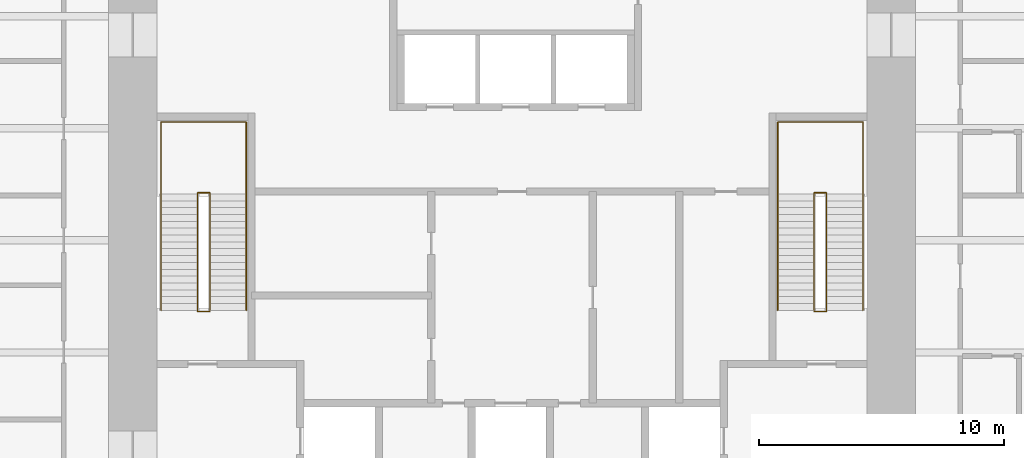
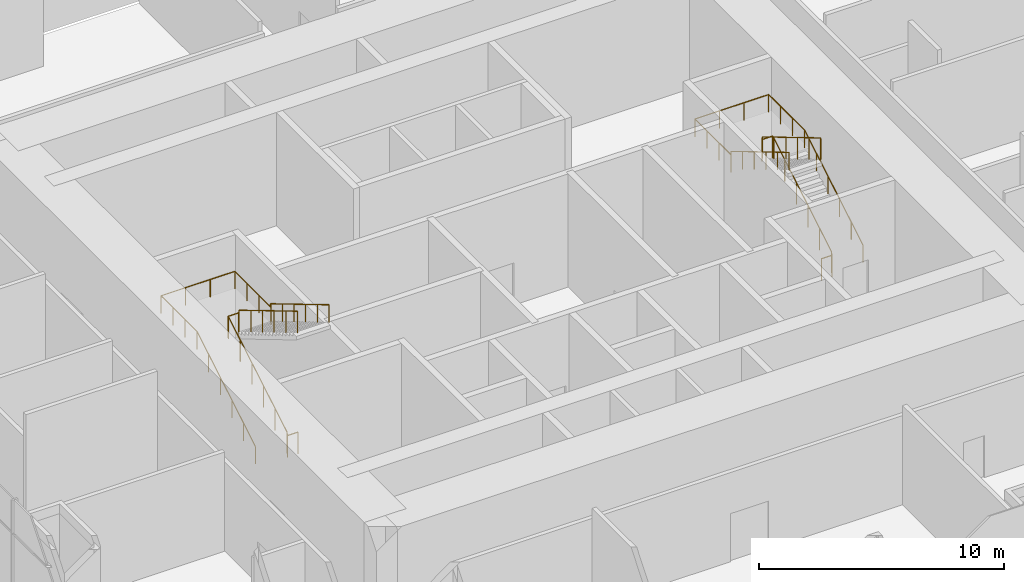
# One storey, part 12 of 12: 4 railings.
"""IFC4 building model written with IfcOpenShell, lengths in metres."""

from ifc_helpers import new_model, si_unit, direction, frame, origin, origin_2d, place, context, subcontext, project, spatial, circle, extrude, material, type_object, element, save


model = new_model("IFC4")

# Units and contexts
model_context = context("Model", 3, precision=1e-05, world=origin(), true_north=direction((0.0, 1.0)))
body_context = subcontext(model_context, "Body", "Model", "MODEL_VIEW")
ifc_project = project(units=[si_unit("LENGTHUNIT", "METRE"), si_unit("AREAUNIT", "SQUARE_METRE"), si_unit("VOLUMEUNIT", "CUBIC_METRE"), si_unit("PLANEANGLEUNIT", "RADIAN"), si_unit("MASSUNIT", "GRAM", prefix="KILO")], contexts=[model_context])

# Site, building, storey
site_placement = place(None, origin())
site = spatial("IfcSite", under=ifc_project, at=site_placement, CompositionType="ELEMENT")
building_placement = place(site_placement, origin())
building = spatial("IfcBuilding", under=site, at=building_placement, Name="Khuree Lantern Residences", CompositionType="ELEMENT")
storey_placement = place(building_placement, frame((0.0, 0.0, 186.0)))
storey = spatial("IfcBuildingStorey", under=building, at=storey_placement, Name="L47", CompositionType="ELEMENT", Elevation=186.0)

# Railings
ifc_material = material(Name="Steel S355", Category="steel")
railing_type_1 = type_object("IfcRailingType", Name="STAIR GUARD G1 1100", PredefinedType="GUARDRAIL", material=ifc_material)
railing_1_placement = place(storey_placement, frame((-12.35009765625, -2.909912109375, 0.0)))
element("IfcRailing", 1, at=railing_1_placement, inside=storey, type_object=railing_type_1, Name="Stair ST1 guard", PredefinedType="GUARDRAIL", context=body_context, shape_type="SweptSolid", body=[
    extrude(circle(Radius=0.02392578125, at=origin_2d()), frame((0.0, 0.0, 1.076171875), z_axis=(-1.0, 0.0, 0.0), x_axis=(0.0, -1.0, 0.0)), (0.0, 0.0, 1.0), 0.5),
    extrude(circle(Radius=0.02392578125, at=origin_2d()), frame((-0.5, 0.0, 1.076171875), z_axis=(0.0, 0.286189326841, 0.958173089375), x_axis=(-1.0, 0.0, 0.0)), (0.0, 0.0, 1.0), 0.174072265625),
    extrude(circle(Radius=0.02392578125, at=origin_2d()), frame((-0.5, 0.0498046875, 1.24267578125), z_axis=(0.0, 0.859299802514, 0.511472237174), x_axis=(-1.0, 0.0, 0.0)), (0.0, 0.0, 1.0), 5.539306640625),
    extrude(circle(Radius=0.02392578125, at=origin_2d()), frame((-0.5, 4.809814453125, 4.076171875), z_axis=(0.0, 1.0, 0.0), x_axis=(-1.0, 0.0, 0.0)), (0.0, 0.0, 1.0), 0.050048828125),
    extrude(circle(Radius=0.02392578125, at=origin_2d()), frame((-0.5, 4.85986328125, 4.076171875), z_axis=(1.0, 0.0, 0.0), x_axis=(0.0, 1.0, 0.0)), (0.0, 0.0, 1.0), 0.5),
    extrude(circle(Radius=0.02392578125, at=origin_2d()), frame((0.0, 4.85986328125, 4.076171875), z_axis=(0.0, -0.287476536604, 0.957787680492), x_axis=(1.0, 0.0, 0.0)), (0.0, 0.0, 1.0), 0.174072265625),
    extrude(circle(Radius=0.02392578125, at=origin_2d()), frame((0.0, 4.809814453125, 4.24267578125), z_axis=(0.0, -0.859299802514, 0.511472237174), x_axis=(1.0, 0.0, 0.0)), (0.0, 0.0, 1.0), 5.539306640625),
    extrude(circle(Radius=0.02099609375, at=origin_2d()), origin(), (0.0, 0.0, 1.0), 1.052001953125),
    extrude(circle(Radius=0.02099609375, at=origin_2d()), frame((-0.5, 0.0, 0.0)), (0.0, 0.0, 1.0), 1.052001953125),
    extrude(circle(Radius=0.02099609375, at=origin_2d()), frame((-0.5, 0.0498046875, 0.166748046875)), (0.0, 0.0, 1.0), 1.052001953125),
    extrude(circle(Radius=0.02099609375, at=origin_2d()), frame((-0.5, 1.001708984375, 0.7333984375)), (0.0, 0.0, 1.0), 1.052001953125),
    extrude(circle(Radius=0.02099609375, at=origin_2d()), frame((-0.5, 1.953857421875, 1.300048828125)), (0.0, 0.0, 1.0), 1.052001953125),
    extrude(circle(Radius=0.02099609375, at=origin_2d()), frame((-0.5, 2.90576171875, 1.86669921875)), (0.0, 0.0, 1.0), 1.052001953125),
    extrude(circle(Radius=0.02099609375, at=origin_2d()), frame((-0.5, 3.85791015625, 2.433349609375)), (0.0, 0.0, 1.0), 1.052001953125),
    extrude(circle(Radius=0.02099609375, at=origin_2d()), frame((-0.5, 4.809814453125, 3.0)), (0.0, 0.0, 1.0), 1.052001953125),
    extrude(circle(Radius=0.02099609375, at=origin_2d()), frame((-0.5, 4.85986328125, 3.0)), (0.0, 0.0, 1.0), 1.052001953125),
    extrude(circle(Radius=0.02099609375, at=origin_2d()), frame((0.0, 4.85986328125, 3.0)), (0.0, 0.0, 1.0), 1.052001953125),
    extrude(circle(Radius=0.02099609375, at=origin_2d()), frame((0.0, 4.809814453125, 3.166748046875)), (0.0, 0.0, 1.0), 1.052001953125),
    extrude(circle(Radius=0.02099609375, at=origin_2d()), frame((0.0, 3.85791015625, 3.7333984375)), (0.0, 0.0, 1.0), 1.052001953125),
    extrude(circle(Radius=0.02099609375, at=origin_2d()), frame((0.0, 2.90576171875, 4.300048828125)), (0.0, 0.0, 1.0), 1.052001953125),
    extrude(circle(Radius=0.02099609375, at=origin_2d()), frame((0.0, 1.953857421875, 4.86669921875)), (0.0, 0.0, 1.0), 1.052001953125),
    extrude(circle(Radius=0.02099609375, at=origin_2d()), frame((0.0, 1.001708984375, 5.433349609375)), (0.0, 0.0, 1.0), 1.052001953125),
    extrude(circle(Radius=0.02099609375, at=origin_2d()), frame((0.0, 0.0498046875, 6.0)), (0.0, 0.0, 1.0), 1.052001953125),
])
railing_2_placement = place(storey_placement, frame((12.35009765625, -2.909912109375, 0.0)))
element("IfcRailing", 2, at=railing_2_placement, inside=storey, type_object=railing_type_1, Name="Stair ST2 guard", PredefinedType="GUARDRAIL", context=body_context, shape_type="SweptSolid", body=[
    extrude(circle(Radius=0.02392578125, at=origin_2d()), frame((0.0, 0.0, 1.076171875), z_axis=(1.0, 0.0, 0.0), x_axis=(0.0, 1.0, 0.0)), (0.0, 0.0, 1.0), 0.5),
    extrude(circle(Radius=0.02392578125, at=origin_2d()), frame((0.5, 0.0, 1.076171875), z_axis=(0.0, 0.286189326841, 0.958173089375), x_axis=(-1.0, 0.0, 0.0)), (0.0, 0.0, 1.0), 0.174072265625),
    extrude(circle(Radius=0.02392578125, at=origin_2d()), frame((0.5, 0.0498046875, 1.24267578125), z_axis=(0.0, 0.859299802514, 0.511472237174), x_axis=(-1.0, 0.0, 0.0)), (0.0, 0.0, 1.0), 5.539306640625),
    extrude(circle(Radius=0.02392578125, at=origin_2d()), frame((0.5, 4.809814453125, 4.076171875), z_axis=(0.0, 1.0, 0.0), x_axis=(-1.0, 0.0, 0.0)), (0.0, 0.0, 1.0), 0.050048828125),
    extrude(circle(Radius=0.02392578125, at=origin_2d()), frame((0.5, 4.85986328125, 4.076171875), z_axis=(-1.0, 0.0, 0.0), x_axis=(0.0, -1.0, 0.0)), (0.0, 0.0, 1.0), 0.5),
    extrude(circle(Radius=0.02392578125, at=origin_2d()), frame((0.0, 4.85986328125, 4.076171875), z_axis=(0.0, -0.287476536604, 0.957787680492), x_axis=(1.0, 0.0, 0.0)), (0.0, 0.0, 1.0), 0.174072265625),
    extrude(circle(Radius=0.02392578125, at=origin_2d()), frame((0.0, 4.809814453125, 4.24267578125), z_axis=(0.0, -0.859299802514, 0.511472237174), x_axis=(1.0, 0.0, 0.0)), (0.0, 0.0, 1.0), 5.539306640625),
    extrude(circle(Radius=0.02099609375, at=origin_2d()), origin(), (0.0, 0.0, 1.0), 1.052001953125),
    extrude(circle(Radius=0.02099609375, at=origin_2d()), frame((0.5, 0.0, 0.0)), (0.0, 0.0, 1.0), 1.052001953125),
    extrude(circle(Radius=0.02099609375, at=origin_2d()), frame((0.5, 0.0498046875, 0.166748046875)), (0.0, 0.0, 1.0), 1.052001953125),
    extrude(circle(Radius=0.02099609375, at=origin_2d()), frame((0.5, 1.001708984375, 0.7333984375)), (0.0, 0.0, 1.0), 1.052001953125),
    extrude(circle(Radius=0.02099609375, at=origin_2d()), frame((0.5, 1.953857421875, 1.300048828125)), (0.0, 0.0, 1.0), 1.052001953125),
    extrude(circle(Radius=0.02099609375, at=origin_2d()), frame((0.5, 2.90576171875, 1.86669921875)), (0.0, 0.0, 1.0), 1.052001953125),
    extrude(circle(Radius=0.02099609375, at=origin_2d()), frame((0.5, 3.85791015625, 2.433349609375)), (0.0, 0.0, 1.0), 1.052001953125),
    extrude(circle(Radius=0.02099609375, at=origin_2d()), frame((0.5, 4.809814453125, 3.0)), (0.0, 0.0, 1.0), 1.052001953125),
    extrude(circle(Radius=0.02099609375, at=origin_2d()), frame((0.5, 4.85986328125, 3.0)), (0.0, 0.0, 1.0), 1.052001953125),
    extrude(circle(Radius=0.02099609375, at=origin_2d()), frame((0.0, 4.85986328125, 3.0)), (0.0, 0.0, 1.0), 1.052001953125),
    extrude(circle(Radius=0.02099609375, at=origin_2d()), frame((0.0, 4.809814453125, 3.166748046875)), (0.0, 0.0, 1.0), 1.052001953125),
    extrude(circle(Radius=0.02099609375, at=origin_2d()), frame((0.0, 3.85791015625, 3.7333984375)), (0.0, 0.0, 1.0), 1.052001953125),
    extrude(circle(Radius=0.02099609375, at=origin_2d()), frame((0.0, 2.90576171875, 4.300048828125)), (0.0, 0.0, 1.0), 1.052001953125),
    extrude(circle(Radius=0.02099609375, at=origin_2d()), frame((0.0, 1.953857421875, 4.86669921875)), (0.0, 0.0, 1.0), 1.052001953125),
    extrude(circle(Radius=0.02099609375, at=origin_2d()), frame((0.0, 1.001708984375, 5.433349609375)), (0.0, 0.0, 1.0), 1.052001953125),
    extrude(circle(Radius=0.02099609375, at=origin_2d()), frame((0.0, 0.0498046875, 6.0)), (0.0, 0.0, 1.0), 1.052001953125),
])
railing_type_2 = type_object("IfcRailingType", Name="STAIR HANDRAIL H1 900", PredefinedType="HANDRAIL", material=ifc_material)
railing_3_placement = place(storey_placement, frame((-14.340087890625, -2.860107421875, 0.166748046875)))
element("IfcRailing", 3, at=railing_3_placement, inside=storey, type_object=railing_type_2, Name="Stair ST1 handrail", PredefinedType="HANDRAIL", context=body_context, shape_type="SweptSolid", body=[
    extrude(circle(Radius=0.02392578125, at=origin_2d()), frame((0.0, 0.0, 0.8759765625), z_axis=(0.0, 0.859299802514, 0.511472237174), x_axis=(-1.0, 0.0, 0.0)), (0.0, 0.0, 1.0), 5.539306640625),
    extrude(circle(Radius=0.02392578125, at=origin_2d()), frame((0.0, 4.760009765625, 3.708984375), z_axis=(0.0, 1.0, 0.0), x_axis=(-1.0, 0.0, 0.0)), (0.0, 0.0, 1.0), 2.940185546875),
    extrude(circle(Radius=0.02392578125, at=origin_2d()), frame((0.0, 7.7001953125, 3.708984375), z_axis=(1.0, 0.0, 0.0), x_axis=(0.0, 1.0, 0.0)), (0.0, 0.0, 1.0), 3.47998046875),
    extrude(circle(Radius=0.02392578125, at=origin_2d()), frame((3.47998046875, 7.7001953125, 3.708984375), z_axis=(0.0, -1.0, 0.0), x_axis=(1.0, 0.0, 0.0)), (0.0, 0.0, 1.0), 2.940185546875),
    extrude(circle(Radius=0.02392578125, at=origin_2d()), frame((3.47998046875, 4.760009765625, 3.708984375), z_axis=(0.0, 0.0, 1.0), x_axis=(1.0, 0.0, 0.0)), (0.0, 0.0, 1.0), 0.166748046875),
    extrude(circle(Radius=0.02392578125, at=origin_2d()), frame((3.47998046875, 4.760009765625, 3.8759765625), z_axis=(0.0, -0.859299802514, 0.511472237174), x_axis=(1.0, 0.0, 0.0)), (0.0, 0.0, 1.0), 5.539306640625),
    extrude(circle(Radius=0.02099609375, at=origin_2d()), origin(), (0.0, 0.0, 1.0), 0.851806640625),
    extrude(circle(Radius=0.02099609375, at=origin_2d()), frame((0.0, 0.951904296875, 0.566650390625)), (0.0, 0.0, 1.0), 0.851806640625),
    extrude(circle(Radius=0.02099609375, at=origin_2d()), frame((0.0, 1.904052734375, 1.13330078125)), (0.0, 0.0, 1.0), 0.851806640625),
    extrude(circle(Radius=0.02099609375, at=origin_2d()), frame((0.0, 2.85595703125, 1.699951171875)), (0.0, 0.0, 1.0), 0.851806640625),
    extrude(circle(Radius=0.02099609375, at=origin_2d()), frame((0.0, 3.80810546875, 2.2666015625)), (0.0, 0.0, 1.0), 0.851806640625),
    extrude(circle(Radius=0.02099609375, at=origin_2d()), frame((0.0, 4.760009765625, 2.833251953125)), (0.0, 0.0, 1.0), 0.851806640625),
    extrude(circle(Radius=0.02099609375, at=origin_2d()), frame((0.0, 5.739990234375, 2.833251953125)), (0.0, 0.0, 1.0), 0.851806640625),
    extrude(circle(Radius=0.02099609375, at=origin_2d()), frame((0.0, 6.72021484375, 2.833251953125)), (0.0, 0.0, 1.0), 0.851806640625),
    extrude(circle(Radius=0.02099609375, at=origin_2d()), frame((0.0, 7.7001953125, 2.833251953125)), (0.0, 0.0, 1.0), 0.851806640625),
    extrude(circle(Radius=0.02099609375, at=origin_2d()), frame((1.159912109375, 7.7001953125, 2.833251953125)), (0.0, 0.0, 1.0), 0.851806640625),
    extrude(circle(Radius=0.02099609375, at=origin_2d()), frame((2.320068359375, 7.7001953125, 2.833251953125)), (0.0, 0.0, 1.0), 0.851806640625),
    extrude(circle(Radius=0.02099609375, at=origin_2d()), frame((3.47998046875, 7.7001953125, 2.833251953125)), (0.0, 0.0, 1.0), 0.851806640625),
    extrude(circle(Radius=0.02099609375, at=origin_2d()), frame((3.47998046875, 6.72021484375, 2.833251953125)), (0.0, 0.0, 1.0), 0.851806640625),
    extrude(circle(Radius=0.02099609375, at=origin_2d()), frame((3.47998046875, 5.739990234375, 2.833251953125)), (0.0, 0.0, 1.0), 0.851806640625),
    extrude(circle(Radius=0.02099609375, at=origin_2d()), frame((3.47998046875, 4.760009765625, 2.833251953125)), (0.0, 0.0, 1.0), 0.851806640625),
    extrude(circle(Radius=0.02099609375, at=origin_2d()), frame((3.47998046875, 4.760009765625, 3.0)), (0.0, 0.0, 1.0), 0.851806640625),
    extrude(circle(Radius=0.02099609375, at=origin_2d()), frame((3.47998046875, 3.80810546875, 3.566650390625)), (0.0, 0.0, 1.0), 0.851806640625),
    extrude(circle(Radius=0.02099609375, at=origin_2d()), frame((3.47998046875, 2.85595703125, 4.13330078125)), (0.0, 0.0, 1.0), 0.851806640625),
    extrude(circle(Radius=0.02099609375, at=origin_2d()), frame((3.47998046875, 1.904052734375, 4.699951171875)), (0.0, 0.0, 1.0), 0.851806640625),
    extrude(circle(Radius=0.02099609375, at=origin_2d()), frame((3.47998046875, 0.951904296875, 5.2666015625)), (0.0, 0.0, 1.0), 0.851806640625),
    extrude(circle(Radius=0.02099609375, at=origin_2d()), frame((3.47998046875, 0.0, 5.833251953125)), (0.0, 0.0, 1.0), 0.851806640625),
])
railing_4_placement = place(storey_placement, frame((14.340087890625, -2.860107421875, 0.166748046875)))
element("IfcRailing", 4, at=railing_4_placement, inside=storey, type_object=railing_type_2, Name="Stair ST2 handrail", PredefinedType="HANDRAIL", context=body_context, shape_type="SweptSolid", body=[
    extrude(circle(Radius=0.02392578125, at=origin_2d()), frame((0.0, 0.0, 0.8759765625), z_axis=(0.0, 0.859299802514, 0.511472237174), x_axis=(-1.0, 0.0, 0.0)), (0.0, 0.0, 1.0), 5.539306640625),
    extrude(circle(Radius=0.02392578125, at=origin_2d()), frame((0.0, 4.760009765625, 3.708984375), z_axis=(0.0, 1.0, 0.0), x_axis=(-1.0, 0.0, 0.0)), (0.0, 0.0, 1.0), 2.940185546875),
    extrude(circle(Radius=0.02392578125, at=origin_2d()), frame((0.0, 7.7001953125, 3.708984375), z_axis=(-1.0, 0.0, 0.0), x_axis=(0.0, -1.0, 0.0)), (0.0, 0.0, 1.0), 3.47998046875),
    extrude(circle(Radius=0.02392578125, at=origin_2d()), frame((-3.47998046875, 7.7001953125, 3.708984375), z_axis=(0.0, -1.0, 0.0), x_axis=(1.0, 0.0, 0.0)), (0.0, 0.0, 1.0), 2.940185546875),
    extrude(circle(Radius=0.02392578125, at=origin_2d()), frame((-3.47998046875, 4.760009765625, 3.708984375), z_axis=(0.0, 0.0, 1.0), x_axis=(1.0, 0.0, 0.0)), (0.0, 0.0, 1.0), 0.166748046875),
    extrude(circle(Radius=0.02392578125, at=origin_2d()), frame((-3.47998046875, 4.760009765625, 3.8759765625), z_axis=(0.0, -0.859299802514, 0.511472237174), x_axis=(1.0, 0.0, 0.0)), (0.0, 0.0, 1.0), 5.539306640625),
    extrude(circle(Radius=0.02099609375, at=origin_2d()), origin(), (0.0, 0.0, 1.0), 0.851806640625),
    extrude(circle(Radius=0.02099609375, at=origin_2d()), frame((0.0, 0.951904296875, 0.566650390625)), (0.0, 0.0, 1.0), 0.851806640625),
    extrude(circle(Radius=0.02099609375, at=origin_2d()), frame((0.0, 1.904052734375, 1.13330078125)), (0.0, 0.0, 1.0), 0.851806640625),
    extrude(circle(Radius=0.02099609375, at=origin_2d()), frame((0.0, 2.85595703125, 1.699951171875)), (0.0, 0.0, 1.0), 0.851806640625),
    extrude(circle(Radius=0.02099609375, at=origin_2d()), frame((0.0, 3.80810546875, 2.2666015625)), (0.0, 0.0, 1.0), 0.851806640625),
    extrude(circle(Radius=0.02099609375, at=origin_2d()), frame((0.0, 4.760009765625, 2.833251953125)), (0.0, 0.0, 1.0), 0.851806640625),
    extrude(circle(Radius=0.02099609375, at=origin_2d()), frame((0.0, 5.739990234375, 2.833251953125)), (0.0, 0.0, 1.0), 0.851806640625),
    extrude(circle(Radius=0.02099609375, at=origin_2d()), frame((0.0, 6.72021484375, 2.833251953125)), (0.0, 0.0, 1.0), 0.851806640625),
    extrude(circle(Radius=0.02099609375, at=origin_2d()), frame((0.0, 7.7001953125, 2.833251953125)), (0.0, 0.0, 1.0), 0.851806640625),
    extrude(circle(Radius=0.02099609375, at=origin_2d()), frame((-1.159912109375, 7.7001953125, 2.833251953125)), (0.0, 0.0, 1.0), 0.851806640625),
    extrude(circle(Radius=0.02099609375, at=origin_2d()), frame((-2.320068359375, 7.7001953125, 2.833251953125)), (0.0, 0.0, 1.0), 0.851806640625),
    extrude(circle(Radius=0.02099609375, at=origin_2d()), frame((-3.47998046875, 7.7001953125, 2.833251953125)), (0.0, 0.0, 1.0), 0.851806640625),
    extrude(circle(Radius=0.02099609375, at=origin_2d()), frame((-3.47998046875, 6.72021484375, 2.833251953125)), (0.0, 0.0, 1.0), 0.851806640625),
    extrude(circle(Radius=0.02099609375, at=origin_2d()), frame((-3.47998046875, 5.739990234375, 2.833251953125)), (0.0, 0.0, 1.0), 0.851806640625),
    extrude(circle(Radius=0.02099609375, at=origin_2d()), frame((-3.47998046875, 4.760009765625, 2.833251953125)), (0.0, 0.0, 1.0), 0.851806640625),
    extrude(circle(Radius=0.02099609375, at=origin_2d()), frame((-3.47998046875, 4.760009765625, 3.0)), (0.0, 0.0, 1.0), 0.851806640625),
    extrude(circle(Radius=0.02099609375, at=origin_2d()), frame((-3.47998046875, 3.80810546875, 3.566650390625)), (0.0, 0.0, 1.0), 0.851806640625),
    extrude(circle(Radius=0.02099609375, at=origin_2d()), frame((-3.47998046875, 2.85595703125, 4.13330078125)), (0.0, 0.0, 1.0), 0.851806640625),
    extrude(circle(Radius=0.02099609375, at=origin_2d()), frame((-3.47998046875, 1.904052734375, 4.699951171875)), (0.0, 0.0, 1.0), 0.851806640625),
    extrude(circle(Radius=0.02099609375, at=origin_2d()), frame((-3.47998046875, 0.951904296875, 5.2666015625)), (0.0, 0.0, 1.0), 0.851806640625),
    extrude(circle(Radius=0.02099609375, at=origin_2d()), frame((-3.47998046875, 0.0, 5.833251953125)), (0.0, 0.0, 1.0), 0.851806640625),
])

save(model, "model.ifc")
